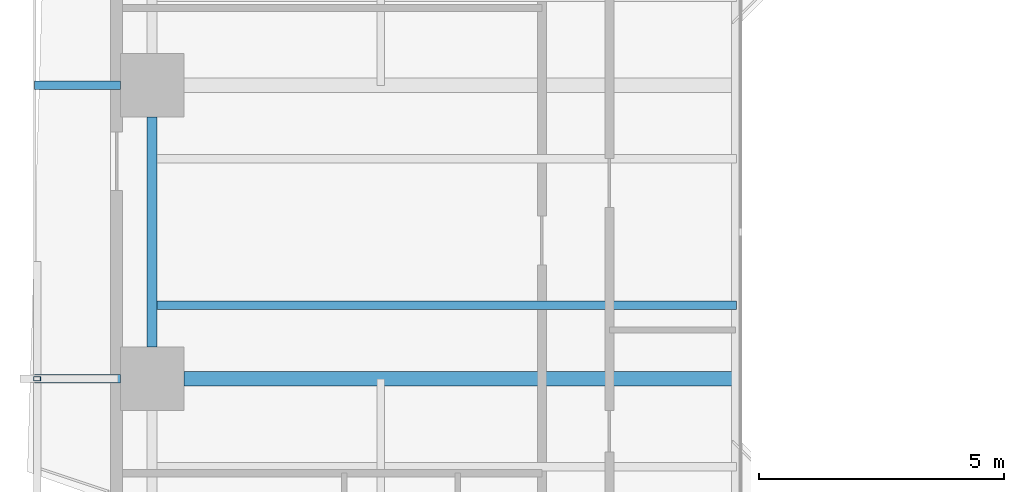
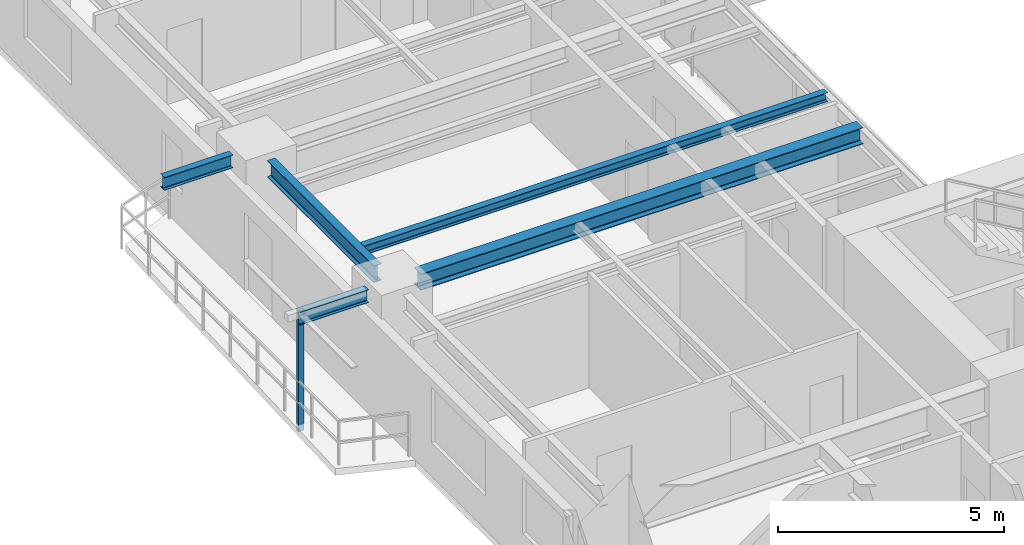
# One storey, part 3 of 23: 5 beams, 1 member.
"""IFC4 building model written with IfcOpenShell, lengths in metres."""

import ifcopenshell
import ifcopenshell.guid

model = None  # the IFC model being written
_history = None  # IfcOwnerHistory: only IFC2X3 demands one
_inside = {}  # id of a spatial element -> (the spatial element, [elements in it])
_under = {}  # id of a project, library or spatial element -> (it, [spatial elements below it])
_declared = {}  # id of a project -> (the project, [libraries it declares])
_typed = {}  # id of a type object -> (the type object, [elements of that type])
_made_of = {}  # id of a material, layer set ... -> (it, [elements and type objects made of it])


def new_model(schema):
    """Start an empty IFC model of exactly this schema.

    Asked for "IFC4X3", IfcOpenShell would pick the latest addendum, in which some entities
    have other attributes; the version numbers below select the first issue.
    IFC2X3 requires an IfcOwnerHistory on every rooted entity: one is made here for all.
    """
    global model, _history
    if schema == "IFC4X3":
        model = ifcopenshell.file(schema_version=(4, 3, 0, 0))
    else:
        model = ifcopenshell.file(schema=schema)
    _inside.clear()
    _under.clear()
    _declared.clear()
    _typed.clear()
    _made_of.clear()
    _history = None
    if model.schema == "IFC2X3":
        org = make("IfcOrganization", Name="unknown")
        user = make(
            "IfcPersonAndOrganization",
            ThePerson=make("IfcPerson", FamilyName="unknown"),
            TheOrganization=org,
        )
        app = make(
            "IfcApplication",
            ApplicationDeveloper=org,
            Version="unknown",
            ApplicationFullName="unknown",
            ApplicationIdentifier="unknown",
        )
        _history = make(
            "IfcOwnerHistory",
            OwningUser=user,
            OwningApplication=app,
            ChangeAction="ADDED",
            CreationDate=0,
        )
    return model


def make(cls, **values):
    """One entity of the class cls with the attributes given. An attribute that is None is left unset."""
    return model.create_entity(
        cls, **{name: value for name, value in values.items() if value is not None}
    )


def rooted(cls, **values):
    """An entity with a GlobalId (a new one), such as an element, a storey or a relation."""
    return make(cls, GlobalId=ifcopenshell.guid.new(), OwnerHistory=_history, **values)


def si_unit(unit_type, name, prefix=None):
    """IfcSIUnit, for example si_unit("LENGTHUNIT", "METRE", prefix="MILLI")."""
    return make("IfcSIUnit", UnitType=unit_type, Prefix=prefix, Name=name)


def assignment(units):
    """IfcUnitAssignment: the units of a project."""
    return None if units is None else make("IfcUnitAssignment", Units=units)


def point(xyz):
    """IfcCartesianPoint."""
    return None if xyz is None else make("IfcCartesianPoint", Coordinates=xyz)


def direction(xyz):
    """IfcDirection."""
    return None if xyz is None else make("IfcDirection", DirectionRatios=xyz)


def frame(location, z_axis=None, x_axis=None):
    """IfcAxis2Placement3D, a coordinate frame: its origin and axes. An axis left out is left unset."""
    return make(
        "IfcAxis2Placement3D",
        Location=point(location),
        Axis=direction(z_axis),
        RefDirection=direction(x_axis),
    )


def frame_2d(location, x_axis=None):
    """IfcAxis2Placement2D, a coordinate frame in the plane: its origin and x axis."""
    return make(
        "IfcAxis2Placement2D", Location=point(location), RefDirection=direction(x_axis)
    )


def origin():
    """The frame at (0, 0, 0) with its axes left unset."""
    return frame((0.0, 0.0, 0.0))


def origin_2d():
    """The frame at (0, 0) in the plane with its x axis left unset."""
    return frame_2d((0.0, 0.0))


def place(relative_to, where):
    """IfcLocalPlacement: puts the frame where relative to a parent placement (None: the world)."""
    return make(
        "IfcLocalPlacement", PlacementRelTo=relative_to, RelativePlacement=where
    )


def context(
    kind, dimensions, precision=None, world=None, true_north=None, identifier=None
):
    """IfcGeometricRepresentationContext, for example the 3D "Model" context."""
    return make(
        "IfcGeometricRepresentationContext",
        ContextIdentifier=identifier,
        ContextType=kind,
        CoordinateSpaceDimension=dimensions,
        Precision=precision,
        WorldCoordinateSystem=world,
        TrueNorth=true_north,
    )


def subcontext(parent, identifier, kind, view, scale=None):
    """IfcGeometricRepresentationSubContext, for example "Body" below "Model"."""
    return make(
        "IfcGeometricRepresentationSubContext",
        ContextIdentifier=identifier,
        ContextType=kind,
        ParentContext=parent,
        TargetScale=scale,
        TargetView=view,
    )


def project(units=None, contexts=None):
    """IfcProject with its units and contexts."""
    return rooted(
        "IfcProject",
        Name="project",
        RepresentationContexts=contexts,
        UnitsInContext=assignment(units),
    )


def spatial(cls, under=None, at=None, **own):
    """A site, building, storey or space (cls), placed at a placement, below another one or the project."""
    s = rooted(cls, ObjectPlacement=at, **own)
    if under is not None:
        _under.setdefault(under.id(), (under, []))[1].append(s)
    return s


def profile(cls, at=None, kind="AREA", **sizes):
    """A parametric profile (cls). Its sizes go by their IFC names, for example OverallWidth=200.0."""
    return make(cls, ProfileType=kind, Position=at, **sizes)


def hollow_rectangle(**sizes):
    """IfcRectangleHollowProfileDef."""
    return profile("IfcRectangleHollowProfileDef", **sizes)


def i_section(**sizes):
    """IfcIShapeProfileDef."""
    return profile("IfcIShapeProfileDef", **sizes)


def extrude(swept, where, along, depth):
    """IfcExtrudedAreaSolid: the profile swept, set in the frame where, extruded along a direction by depth."""
    return make(
        "IfcExtrudedAreaSolid",
        SweptArea=swept,
        Position=where,
        ExtrudedDirection=direction(along),
        Depth=depth,
    )


def shape(context_of_items, identifier, shape_type, items):
    """IfcShapeRepresentation: the items that make up one representation, for example the "Body"."""
    return make(
        "IfcShapeRepresentation",
        ContextOfItems=context_of_items,
        RepresentationIdentifier=identifier,
        RepresentationType=shape_type,
        Items=items,
    )


def source(mapping_origin, context_of_items, identifier, shape_type, items):
    """IfcRepresentationMap: a shape defined once, which mapped items show again and again."""
    return make(
        "IfcRepresentationMap",
        MappingOrigin=mapping_origin,
        MappedRepresentation=shape(context_of_items, identifier, shape_type, items),
    )


def transform(
    local_origin,
    x_axis=None,
    y_axis=None,
    z_axis=None,
    scale=None,
    scale2=None,
    scale3=None,
    uniform=True,
):
    """IfcCartesianTransformationOperator3D, or its non-uniform kind. x_axis, y_axis, z_axis: its Axis1, 2, 3."""
    if uniform:
        return make(
            "IfcCartesianTransformationOperator3D",
            Axis1=direction(x_axis),
            Axis2=direction(y_axis),
            LocalOrigin=point(local_origin),
            Scale=scale,
            Axis3=direction(z_axis),
        )
    return make(
        "IfcCartesianTransformationOperator3DnonUniform",
        Axis1=direction(x_axis),
        Axis2=direction(y_axis),
        LocalOrigin=point(local_origin),
        Scale=scale,
        Axis3=direction(z_axis),
        Scale2=scale2,
        Scale3=scale3,
    )


def mapped(mapping_source, mapping_target):
    """IfcMappedItem: shows the shape of a source again, moved by a transform."""
    return make(
        "IfcMappedItem", MappingSource=mapping_source, MappingTarget=mapping_target
    )


def material(Name=None, Category=None):
    """IfcMaterial."""
    return make("IfcMaterial", Name=Name, Category=Category)


def material_profile(
    of_material, cross_section, Name=None, Category=None, Priority=None
):
    """IfcMaterialProfile: a cross section and its material."""
    return make(
        "IfcMaterialProfile",
        Name=Name,
        Material=of_material,
        Profile=cross_section,
        Priority=Priority,
        Category=Category,
    )


def profile_set(profiles, Name=None, composite=None):
    """IfcMaterialProfileSet."""
    return make(
        "IfcMaterialProfileSet",
        Name=Name,
        MaterialProfiles=profiles,
        CompositeProfile=composite,
    )


def made_of(thing, what):
    """Note that an element or type object is made of a material, layer set ...; save() writes the relation."""
    if what is not None:
        _made_of.setdefault(what.id(), (what, []))[1].append(thing)
    return thing


def type_object(cls, material=None, **own):
    """A type object (cls), such as IfcWallType, which elements share."""
    return made_of(rooted(cls, **own), material)


def element(
    cls,
    number,
    at=None,
    inside=None,
    cuts=None,
    type_object=None,
    material=None,
    context=None,
    identifier="Body",
    shape_type=None,
    held_by="IfcProductDefinitionShape",
    body=None,
    shapes=None,
    **own,
):
    """One element of the class cls, such as IfcWall. Its Tag is "e" and its number.

    at: its placement. inside: the storey or other place that contains it. cuts: it is an
    opening in that element (IfcRelVoidsElement). A single representation is given by context,
    identifier, shape_type and body (its items); several are given by shapes. held_by: the class
    of the entity that holds the representations. save() writes the other relations.
    """
    e = rooted(cls, Tag="e%d" % number, ObjectPlacement=at, **own)
    if body is not None:
        shapes = [shape(context, identifier, shape_type, body)]
    if shapes is not None:
        e.Representation = make(held_by, Representations=shapes)
    if inside is not None:
        _inside.setdefault(inside.id(), (inside, []))[1].append(e)
    if cuts is not None:
        rooted(
            "IfcRelVoidsElement", RelatingBuildingElement=cuts, RelatedOpeningElement=e
        )
    if type_object is not None:
        _typed.setdefault(type_object.id(), (type_object, []))[1].append(e)
    return made_of(e, material)


def aggregate(whole, parts):
    """IfcRelAggregates: a whole, such as a stair, and the parts it consists of."""
    return rooted("IfcRelAggregates", RelatingObject=whole, RelatedObjects=parts)


def save(model, path):
    """Write the relations noted so far, then the file.

    IfcRelAggregates (storeys below a building ...), IfcRelContainedInSpatialStructure (elements
    in a storey), IfcRelDefinesByType, IfcRelAssociatesMaterial and IfcRelDeclares: one each for
    every whole, place, type object, material and project.
    """
    for whole, parts in _under.values():
        aggregate(whole, parts)
    for where, things in _inside.values():
        rooted(
            "IfcRelContainedInSpatialStructure",
            RelatedElements=things,
            RelatingStructure=where,
        )
    for kind, things in _typed.values():
        rooted("IfcRelDefinesByType", RelatedObjects=things, RelatingType=kind)
    for what, things in _made_of.values():
        rooted("IfcRelAssociatesMaterial", RelatedObjects=things, RelatingMaterial=what)
    for by, libraries in _declared.values():
        rooted("IfcRelDeclares", RelatingContext=by, RelatedDefinitions=libraries)
    model.write(path)


model = new_model("IFC4")

# Units and contexts
model_context = context("Model", 3, precision=1e-05, world=origin(), true_north=direction((0.0, 1.0)))
body_context = subcontext(model_context, "Body", "Model", "MODEL_VIEW")
ifc_project = project(units=[si_unit("LENGTHUNIT", "METRE"), si_unit("AREAUNIT", "SQUARE_METRE"), si_unit("VOLUMEUNIT", "CUBIC_METRE"), si_unit("PLANEANGLEUNIT", "RADIAN"), si_unit("MASSUNIT", "GRAM", prefix="KILO"), si_unit("THERMODYNAMICTEMPERATUREUNIT", "KELVIN"), si_unit("POWERUNIT", "WATT")], contexts=[model_context])

# Site, building, storey
site_placement = place(None, origin())
site = spatial("IfcSite", under=ifc_project, at=site_placement, CompositionType="ELEMENT")
building_placement = place(site_placement, origin())
building = spatial("IfcBuilding", under=site, at=building_placement, Name="Qiaomeng Ring Towers", CompositionType="ELEMENT")
storey_placement = place(building_placement, frame((0.0, 0.0, 50.25)))
storey = spatial("IfcBuildingStorey", under=building, at=storey_placement, Name="L13", CompositionType="ELEMENT", Elevation=50.25)

# Beams
ifc_material_1 = material(Name="Steel Q355B", Category="steel")
ifc_material_profile_1 = material_profile(ifc_material_1, i_section(OverallWidth=0.199951171875, OverallDepth=0.449951171875, WebThickness=0.009033203125, FlangeThickness=0.013916015625, FilletRadius=0.01806640625, at=origin_2d()), Name="HN 450x200x9x14")
ifc_profile_set_1 = profile_set([ifc_material_profile_1], Name="Steel Q355B")
beam_type_1 = type_object("IfcBeamType", Name="STR-BM-HN450", PredefinedType="SPANDREL", material=ifc_profile_set_1)
shared_shape_1 = source(origin(), body_context, "Body", "SweptSolid", [
    extrude(i_section(OverallWidth=0.199951171875, OverallDepth=0.449951171875, WebThickness=0.009033203125, FlangeThickness=0.013916015625, FilletRadius=0.01806640625, at=origin_2d()), origin(), (0.0, 0.0, 1.0), 4.7021484375),
])
beam_1_placement = place(storey_placement, frame((0.85009765625, 25.35107421875, 2.844970703125), z_axis=(0.0, -1.0, 0.0), x_axis=(1.0, 0.0, 0.0)))
element("IfcBeam", 1, at=beam_1_placement, inside=storey, type_object=beam_type_1, Name="L13 beam STR-SP-L13-T1-W3-W2", PredefinedType="SPANDREL", context=body_context, shape_type="MappedRepresentation", body=[
    mapped(shared_shape_1, transform((0.0, 0.0, 0.0), x_axis=(1.0, 0.0, 0.0), y_axis=(0.0, 1.0, 0.0), z_axis=(0.0, 0.0, 1.0), scale=1.0)),
])
ifc_material_profile_2 = material_profile(ifc_material_1, i_section(OverallWidth=0.300048828125, OverallDepth=0.43994140625, WebThickness=0.010986328125, FlangeThickness=0.01806640625, FilletRadius=0.02392578125, at=origin_2d()), Name="HM 440x300x11x18")
ifc_profile_set_2 = profile_set([ifc_material_profile_2], Name="Steel Q355B")
beam_type_2 = type_object("IfcBeamType", Name="STR-BM-HM440", PredefinedType="BEAM", material=ifc_profile_set_2)
shared_shape_2 = source(origin(), body_context, "Body", "SweptSolid", [
    extrude(i_section(OverallWidth=0.300048828125, OverallDepth=0.43994140625, WebThickness=0.010986328125, FlangeThickness=0.01806640625, FilletRadius=0.02392578125, at=origin_2d()), origin(), (0.0, 0.0, 1.0), 11.301025390625),
])
beam_2_placement = place(storey_placement, frame((1.4990234375, 20.0, 2.85009765625), z_axis=(1.0, 0.0, 0.0), x_axis=(0.0, 1.0, 0.0)))
element("IfcBeam", 2, at=beam_2_placement, inside=storey, type_object=beam_type_2, Name="L13 beam STR-BM-L13-T1-RAD-W2", PredefinedType="BEAM", context=body_context, shape_type="MappedRepresentation", body=[
    mapped(shared_shape_2, transform((0.0, 0.0, 0.0), x_axis=(1.0, 0.0, 0.0), y_axis=(0.0, 1.0, 0.0), z_axis=(0.0, 0.0, 1.0), scale=1.0)),
])
ifc_material_profile_3 = material_profile(ifc_material_1, i_section(OverallWidth=0.175048828125, OverallDepth=0.35009765625, WebThickness=0.007080078125, FlangeThickness=0.010986328125, FilletRadius=0.013916015625, at=origin_2d()), Name="HN 350x175x7x11")
ifc_profile_set_3 = profile_set([ifc_material_profile_3], Name="Steel Q355B")
beam_type_3 = type_object("IfcBeamType", Name="STR-BM-HN350", PredefinedType="JOIST", material=ifc_profile_set_3)
shared_shape_3 = source(origin(), body_context, "Body", "SweptSolid", [
    extrude(i_section(OverallWidth=0.175048828125, OverallDepth=0.35009765625, WebThickness=0.007080078125, FlangeThickness=0.010986328125, FilletRadius=0.013916015625, at=origin_2d()), origin(), (0.0, 0.0, 1.0), 1.7509765625),
])
for number, where, z_axis, x_axis, name in (
    (3, (-1.550048828125, 20.0, 2.89501953125), (1.0, 0.0, 0.0), (0.0, 1.0, 0.0), "L13 beam STR-BALBM-L13-W2"),
    (4, (-1.550048828125, 26.0, 2.89501953125), (1.0, 0.0, 0.0), (0.0, 1.0, 0.0), "L13 beam STR-BALBM-L13-W3"),
):
    element("IfcBeam", number, at=place(storey_placement, frame(where, z_axis=z_axis, x_axis=x_axis)), inside=storey, type_object=beam_type_3, Name=name, PredefinedType="JOIST", context=body_context, shape_type="MappedRepresentation", body=[
        mapped(shared_shape_3, transform((0.0, 0.0, 0.0), x_axis=(1.0, 0.0, 0.0), y_axis=(0.0, 1.0, 0.0), z_axis=(0.0, 0.0, 1.0), scale=1.0)),
    ])
ifc_material_profile_4 = material_profile(ifc_material_1, i_section(OverallWidth=0.175048828125, OverallDepth=0.243896484375, WebThickness=0.007080078125, FlangeThickness=0.010986328125, FilletRadius=0.01611328125, at=origin_2d()), Name="HM 244x175x7x11")
ifc_profile_set_4 = profile_set([ifc_material_profile_4], Name="Steel Q355B")
beam_type_4 = type_object("IfcBeamType", Name="STR-BM-HM244", PredefinedType="JOIST", material=ifc_profile_set_4)
shared_shape_4 = source(origin(), body_context, "Body", "SweptSolid", [
    extrude(i_section(OverallWidth=0.175048828125, OverallDepth=0.243896484375, WebThickness=0.007080078125, FlangeThickness=0.010986328125, FilletRadius=0.01611328125, at=origin_2d()), origin(), (0.0, 0.0, 1.0), 11.949951171875),
])
beam_3_placement = place(storey_placement, frame((0.85009765625, 21.5, 2.947998046875), z_axis=(1.0, 0.0, 0.0), x_axis=(0.0, 1.0, 0.0)))
element("IfcBeam", 5, at=beam_3_placement, inside=storey, type_object=beam_type_4, Name="L13 beam STR-JST-L13-T1W-2", PredefinedType="JOIST", context=body_context, shape_type="MappedRepresentation", body=[
    mapped(shared_shape_4, transform((0.0, 0.0, 0.0), x_axis=(1.0, 0.0, 0.0), y_axis=(0.0, 1.0, 0.0), z_axis=(0.0, 0.0, 1.0), scale=1.0)),
])

# Member
ifc_material_2 = material(Name="Stainless steel 316", Category="steel")
ifc_material_profile_5 = material_profile(ifc_material_2, hollow_rectangle(XDim=0.090087890625, YDim=0.139892578125, WallThickness=0.0048828125, at=origin_2d()), Name="SS TRELLIS 90x140")
ifc_profile_set_5 = profile_set([ifc_material_profile_5], Name="Stainless steel 316")
member_type = type_object("IfcMemberType", Name="ARC-TR-POST1", PredefinedType="STUD", material=ifc_profile_set_5)
shared_shape_5 = source(origin(), body_context, "Body", "SweptSolid", [
    extrude(hollow_rectangle(XDim=0.090087890625, YDim=0.139892578125, WallThickness=0.0048828125, at=origin_2d()), origin(), (0.0, 0.0, 1.0), 3.25),
])
member_placement = place(storey_placement, frame((-1.5, 20.0, -0.179931640625), z_axis=(0.0, 0.0, 1.0), x_axis=(0.0, 1.0, 0.0)))
element("IfcMember", 6, at=member_placement, inside=storey, type_object=member_type, Name="L13 Outer Ventilated Trellis Post W", PredefinedType="STUD", context=body_context, shape_type="MappedRepresentation", body=[
    mapped(shared_shape_5, transform((0.0, 0.0, 0.0), x_axis=(1.0, 0.0, 0.0), y_axis=(0.0, 1.0, 0.0), z_axis=(0.0, 0.0, 1.0), scale=1.0)),
])

save(model, "model.ifc")
